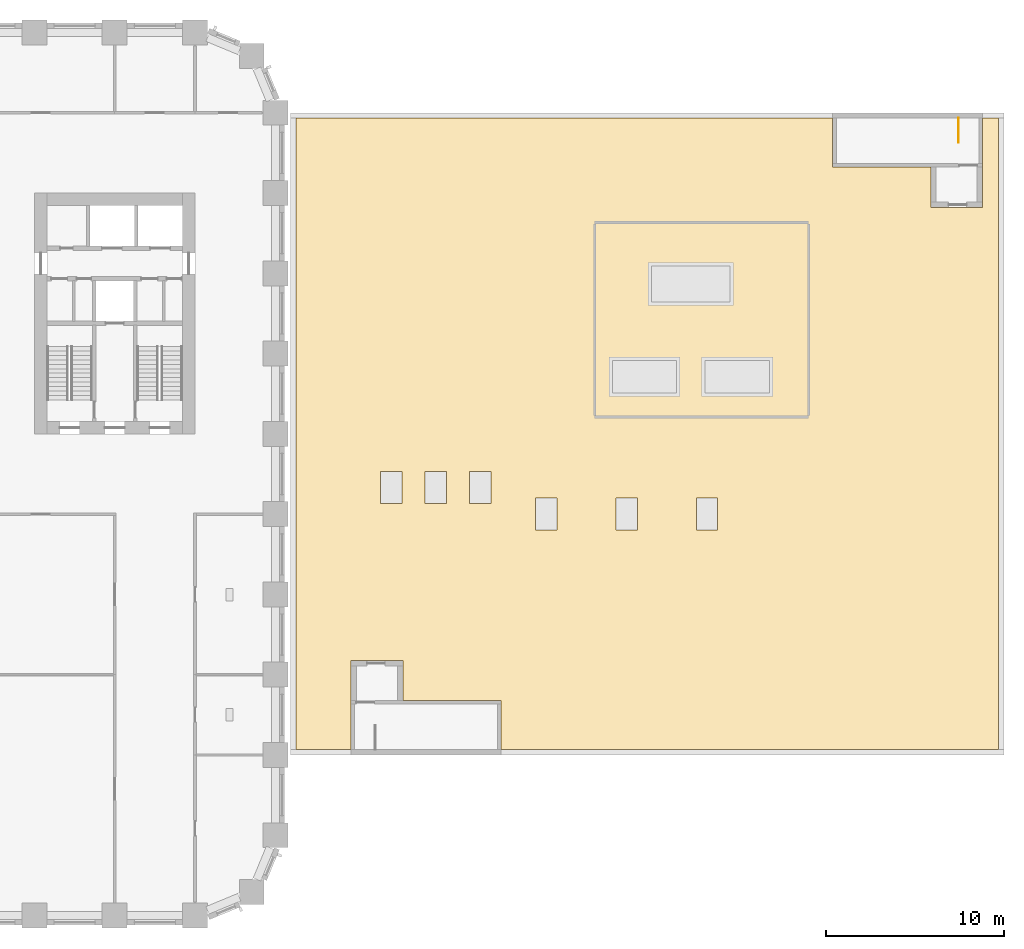
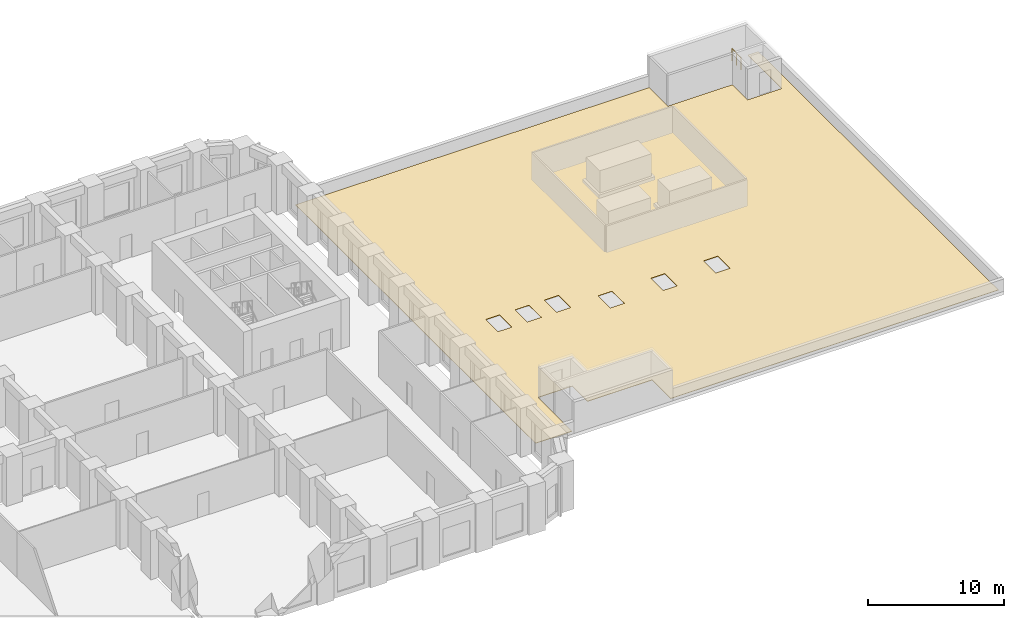
# One storey, part 12 of 14: 1 covering, 1 railing.
"""IFC4 building model written with IfcOpenShell, lengths in metres."""

from ifc_helpers import new_model, si_unit, direction, frame, origin, origin_2d, place, context, subcontext, project, spatial, polyline, circle, outline, extrude, material, layer, layer_set, type_object, element, save


model = new_model("IFC4")

# Units and contexts
model_context = context("Model", 3, precision=1e-05, world=origin(), true_north=direction((0.0, 1.0)))
body_context = subcontext(model_context, "Body", "Model", "MODEL_VIEW")
ifc_project = project(units=[si_unit("LENGTHUNIT", "METRE"), si_unit("AREAUNIT", "SQUARE_METRE"), si_unit("VOLUMEUNIT", "CUBIC_METRE"), si_unit("PLANEANGLEUNIT", "RADIAN"), si_unit("MASSUNIT", "GRAM", prefix="KILO")], contexts=[model_context])

# Site, building, storey
site_placement = place(None, origin())
site = spatial("IfcSite", under=ifc_project, at=site_placement, CompositionType="ELEMENT")
building_placement = place(site_placement, origin())
building = spatial("IfcBuilding", under=site, at=building_placement, Name="Girih Gate Residences", CompositionType="ELEMENT")
storey_placement = place(building_placement, frame((0.0, 0.0, 26.0)))
storey = spatial("IfcBuildingStorey", under=building, at=storey_placement, Name="L05", CompositionType="ELEMENT", Elevation=26.0)

# Railing
ifc_material_1 = material(Name="Stainless steel railing", Category="steel")
railing_type = type_object("IfcRailingType", Name="HC Guard 1100", PredefinedType="GUARDRAIL", material=ifc_material_1)
railing_placement = place(storey_placement, frame((87.800048828125, 44.699951171875, 0.0)))
element("IfcRailing", 1, at=railing_placement, inside=storey, type_object=railing_type, Name="L05 HC-STB top well guard 1", PredefinedType="GUARDRAIL", context=body_context, shape_type="SweptSolid", body=[
    extrude(circle(Radius=0.02392578125, at=origin_2d()), frame((0.0, 0.0, 1.076171875), z_axis=(0.0, -1.0, 0.0), x_axis=(1.0, 0.0, 0.0)), (0.0, 0.0, 1.0), 1.349853515625),
    extrude(circle(Radius=0.02099609375, at=origin_2d()), origin(), (0.0, 0.0, 1.0), 1.052001953125),
    extrude(circle(Radius=0.02099609375, at=origin_2d()), frame((0.0, -0.6748046875, 0.0)), (0.0, 0.0, 1.0), 1.052001953125),
    extrude(circle(Radius=0.02099609375, at=origin_2d()), frame((0.0, -1.349853515625, 0.0)), (0.0, 0.0, 1.0), 1.052001953125),
])

# Covering
ifc_material_2 = material(Name="Single-ply roof membrane")
ifc_layer = layer(ifc_material_2, 0.0400390625)
ifc_layer_set = layer_set([ifc_layer], Name="HC Roof membrane")
covering_type = type_object("IfcCoveringType", Name="HC Roof membrane", PredefinedType="ROOFING", material=ifc_layer_set)
covering_placement = place(storey_placement, origin())
element("IfcCovering", 2, at=covering_placement, inside=storey, type_object=covering_type, Name="Roof membrane", PredefinedType="ROOFING", context=body_context, shape_type="SweptSolid", body=[
    extrude(outline(polyline([(50.64990234375, 9.300048828125), (53.75, 9.300048828125), (53.75, 14.300048828125), (56.64990234375, 14.300048828125), (56.64990234375, 12.050048828125), (62.14990234375, 12.050048828125), (62.14990234375, 9.300048828125), (90.050048828125, 9.300048828125), (90.050048828125, 44.699951171875), (89.14990234375, 44.699951171875), (89.14990234375, 41.949951171875), (89.14990234375, 41.949951171875), (89.14990234375, 39.699951171875), (86.25, 39.699951171875), (86.25, 41.949951171875), (80.75, 41.949951171875), (80.75, 44.699951171875), (50.64990234375, 44.699951171875), (50.64990234375, 9.300048828125)]), holes=[polyline([(55.39990234375, 23.10009765625), (56.60009765625, 23.10009765625), (56.60009765625, 24.89990234375), (55.39990234375, 24.89990234375), (55.39990234375, 23.10009765625)]), polyline([(57.89990234375, 23.10009765625), (59.10009765625, 23.10009765625), (59.10009765625, 24.89990234375), (57.89990234375, 24.89990234375), (57.89990234375, 23.10009765625)]), polyline([(60.39990234375, 23.10009765625), (61.60009765625, 23.10009765625), (61.60009765625, 24.89990234375), (60.39990234375, 24.89990234375), (60.39990234375, 23.10009765625)]), polyline([(64.10009765625, 21.60009765625), (65.300048828125, 21.60009765625), (65.300048828125, 23.39990234375), (64.10009765625, 23.39990234375), (64.10009765625, 21.60009765625)]), polyline([(68.60009765625, 21.60009765625), (69.800048828125, 21.60009765625), (69.800048828125, 23.39990234375), (68.60009765625, 23.39990234375), (68.60009765625, 21.60009765625)]), polyline([(73.10009765625, 21.60009765625), (74.300048828125, 21.60009765625), (74.300048828125, 23.39990234375), (73.10009765625, 23.39990234375), (73.10009765625, 21.60009765625)])]), origin(), (0.0, 0.0, 1.0), 0.0400390625),
])

save(model, "model.ifc")
